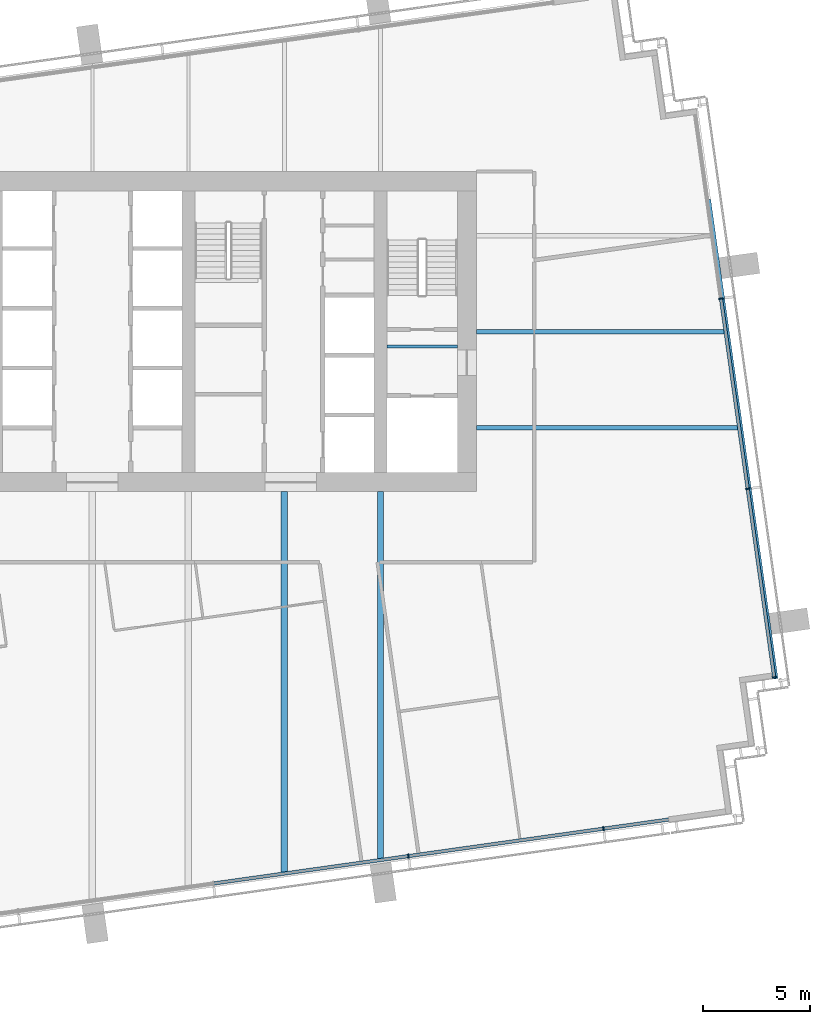
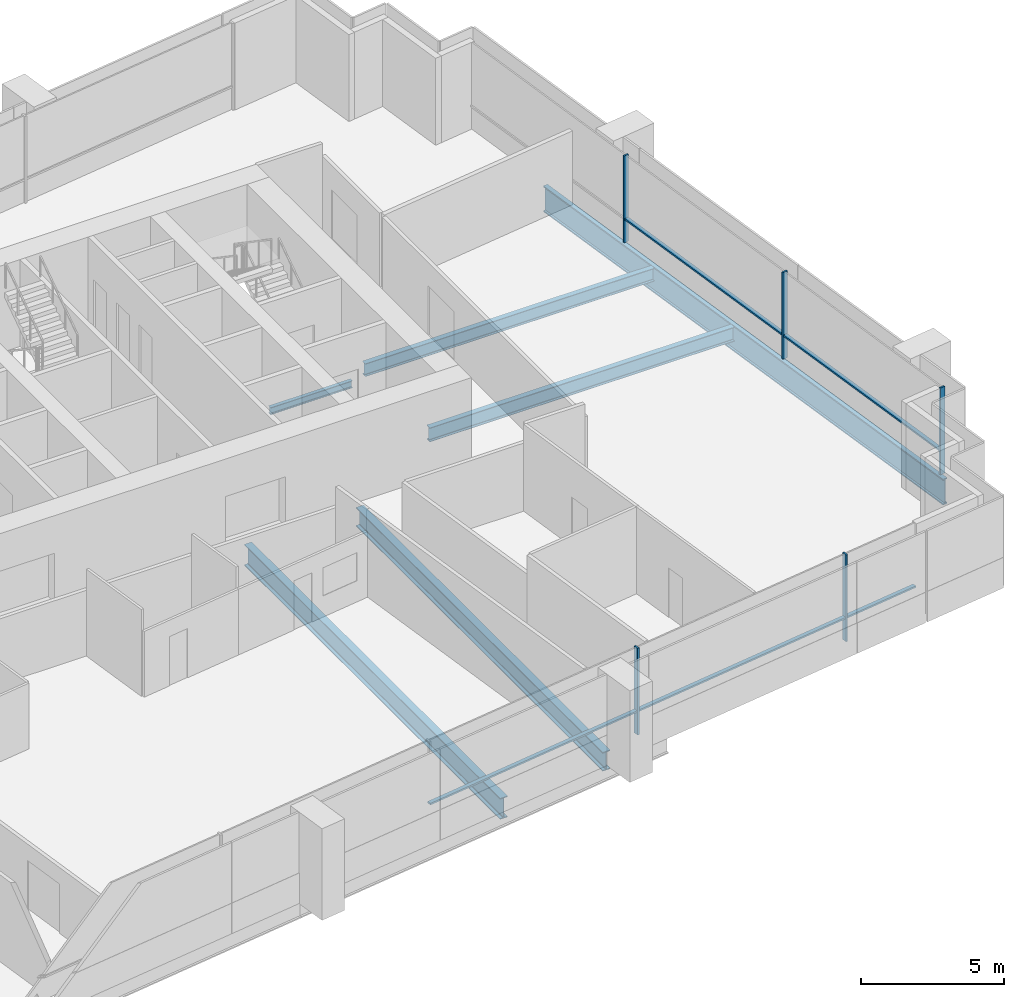
# One storey, part 5 of 17: 10 members, 6 beams, 2 elements without a shape of their own.
"""IFC4 building model written with IfcOpenShell, lengths in metres."""

from ifc_helpers import new_model, si_unit, direction, frame, origin, origin_2d, place, context, subcontext, project, spatial, rectangle, i_section, extrude, material, layer, layer_set, material_profile, profile_set, type_object, element, aggregate, save


model = new_model("IFC4")

# Units and contexts
model_context = context("Model", 3, precision=1e-05, world=origin(), true_north=direction((0.0, 1.0)))
body_context = subcontext(model_context, "Body", "Model", "MODEL_VIEW")
ifc_project = project(units=[si_unit("LENGTHUNIT", "METRE"), si_unit("AREAUNIT", "SQUARE_METRE"), si_unit("VOLUMEUNIT", "CUBIC_METRE"), si_unit("PLANEANGLEUNIT", "RADIAN"), si_unit("MASSUNIT", "GRAM", prefix="KILO")], contexts=[model_context])

# Site, building, storey
site_placement = place(None, origin())
site = spatial("IfcSite", under=ifc_project, at=site_placement, CompositionType="ELEMENT")
building_placement = place(site_placement, origin())
building = spatial("IfcBuilding", under=site, at=building_placement, Name="Rattan Terrace Tower", CompositionType="ELEMENT")
storey_placement = place(building_placement, frame((0.0, 0.0, 221.300048828125)))
storey = spatial("IfcBuildingStorey", under=building, at=storey_placement, Name="L50", CompositionType="ELEMENT", Elevation=221.300048828125)

# Beams
ifc_material_1 = material(Name="Steel S460", Category="steel")
ifc_material_profile_1 = material_profile(ifc_material_1, i_section(OverallWidth=0.179931640625, OverallDepth=1.10009765625, WebThickness=0.01611328125, FlangeThickness=0.050048828125, at=origin_2d()), Name="PG 1100x180-16-50")
ifc_profile_set_1 = profile_set([ifc_material_profile_1], Name="Steel S460")
beam_type_1 = type_object("IfcBeamType", Name="Frame edge girder PG 1100x180-16-50", PredefinedType="SPANDREL", material=ifc_profile_set_1)
beam_1_placement = place(storey_placement, frame((28.883056640625, 6.18505859375, -0.75), z_axis=(0.139138162292, -0.990272978423, 0.0), x_axis=(0.990272978423, 0.139138162292, 0.0)))
element("IfcBeam", 1, at=beam_1_placement, inside=storey, type_object=beam_type_1, Name="gdr-L50-004", PredefinedType="SPANDREL", context=body_context, shape_type="SweptSolid", body=[
    extrude(i_section(OverallWidth=0.179931640625, OverallDepth=1.10009765625, WebThickness=0.01611328125, FlangeThickness=0.050048828125, at=origin_2d()), origin(), (0.0, 0.0, 1.0), 22.66845703125),
])
ifc_material_2 = material(Name="Steel S355", Category="steel")
ifc_material_profile_2 = material_profile(ifc_material_2, i_section(OverallWidth=0.300048828125, OverallDepth=0.800048828125, WebThickness=0.017578125, FlangeThickness=0.032958984375, FilletRadius=0.030029296875, at=origin_2d()), Name="HE 800 B")
ifc_profile_set_2 = profile_set([ifc_material_profile_2], Name="Steel S355")
beam_type_2 = type_object("IfcBeamType", Name="Frame floor beam HE 800 B", PredefinedType="JOIST", material=ifc_profile_set_2)
beam_2_placement = place(storey_placement, frame((13.5, -24.72509765625, -0.60009765625), z_axis=(0.0, 1.0, 0.0), x_axis=(-1.0, 0.0, 0.0)))
element("IfcBeam", 2, at=beam_2_placement, inside=storey, type_object=beam_type_2, Name="bm-L50-008", PredefinedType="JOIST", context=body_context, shape_type="SweptSolid", body=[
    extrude(i_section(OverallWidth=0.300048828125, OverallDepth=0.800048828125, WebThickness=0.017578125, FlangeThickness=0.032958984375, FilletRadius=0.030029296875, at=origin_2d()), origin(), (0.0, 0.0, 1.0), 17.22509765625),
])
ifc_material_3 = material(Name="Steel S355", Category="steel")
ifc_material_profile_3 = material_profile(ifc_material_3, i_section(OverallWidth=0.300048828125, OverallDepth=0.89990234375, WebThickness=0.0185546875, FlangeThickness=0.034912109375, FilletRadius=0.030029296875, at=origin_2d()), Name="HE 900 B")
ifc_profile_set_3 = profile_set([ifc_material_profile_3], Name="Steel S355")
beam_type_3 = type_object("IfcBeamType", Name="Frame floor beam HE 900 B", PredefinedType="JOIST", material=ifc_profile_set_3)
beam_3_placement = place(storey_placement, frame((9.0, -25.35693359375, -0.650146484375), z_axis=(0.0, 1.0, 0.0), x_axis=(-1.0, 0.0, 0.0)))
element("IfcBeam", 3, at=beam_3_placement, inside=storey, type_object=beam_type_3, Name="bm-L50-007", PredefinedType="JOIST", context=body_context, shape_type="SweptSolid", body=[
    extrude(i_section(OverallWidth=0.300048828125, OverallDepth=0.89990234375, WebThickness=0.0185546875, FlangeThickness=0.034912109375, FilletRadius=0.030029296875, at=origin_2d()), origin(), (0.0, 0.0, 1.0), 17.85693359375),
])
ifc_material_4 = material(Name="Steel S355", Category="steel")
ifc_material_profile_4 = material_profile(ifc_material_4, i_section(OverallWidth=0.14990234375, OverallDepth=0.300048828125, WebThickness=0.007080078125, FlangeThickness=0.0107421875, FilletRadius=0.014892578125, at=origin_2d()), Name="IPE 300")
ifc_profile_set_4 = profile_set([ifc_material_profile_4], Name="Steel S355")
beam_type_4 = type_object("IfcBeamType", Name="Frame floor beam IPE 300", PredefinedType="JOIST", material=ifc_profile_set_4)
beam_4_placement = place(storey_placement, frame((13.800048828125, -0.695068359375, -0.35009765625), z_axis=(1.0, 0.0, 0.0), x_axis=(0.0, 1.0, 0.0)))
element("IfcBeam", 4, at=beam_4_placement, inside=storey, type_object=beam_type_4, Name="bm-L50-002", PredefinedType="JOIST", context=body_context, shape_type="SweptSolid", body=[
    extrude(i_section(OverallWidth=0.14990234375, OverallDepth=0.300048828125, WebThickness=0.007080078125, FlangeThickness=0.0107421875, FilletRadius=0.014892578125, at=origin_2d()), origin(), (0.0, 0.0, 1.0), 3.300048828125),
])
ifc_material_5 = material(Name="Steel S355", Category="steel")
ifc_material_profile_5 = material_profile(ifc_material_5, i_section(OverallWidth=0.2099609375, OverallDepth=0.550048828125, WebThickness=0.010986328125, FlangeThickness=0.01708984375, FilletRadius=0.02392578125, at=origin_2d()), Name="IPE 550")
ifc_profile_set_5 = profile_set([ifc_material_profile_5], Name="Steel S355")
beam_type_5 = type_object("IfcBeamType", Name="Frame floor beam IPE 550", PredefinedType="JOIST", material=ifc_profile_set_5)
beam_5_placement = place(storey_placement, frame((18.0, 0.0, -0.47509765625), z_axis=(1.0, 0.0, 0.0), x_axis=(0.0, 1.0, 0.0)))
element("IfcBeam", 5, at=beam_5_placement, inside=storey, type_object=beam_type_5, Name="bm-L50-012", PredefinedType="JOIST", context=body_context, shape_type="SweptSolid", body=[
    extrude(i_section(OverallWidth=0.2099609375, OverallDepth=0.550048828125, WebThickness=0.010986328125, FlangeThickness=0.01708984375, FilletRadius=0.02392578125, at=origin_2d()), origin(), (0.0, 0.0, 1.0), 11.64599609375),
])
ifc_material_6 = material(Name="Steel S355", Category="steel")
ifc_material_profile_6 = material_profile(ifc_material_6, i_section(OverallWidth=0.219970703125, OverallDepth=0.60009765625, WebThickness=0.011962890625, FlangeThickness=0.01904296875, FilletRadius=0.02392578125, at=origin_2d()), Name="IPE 600")
ifc_profile_set_6 = profile_set([ifc_material_profile_6], Name="Steel S355")
beam_type_6 = type_object("IfcBeamType", Name="Frame floor beam IPE 600", PredefinedType="JOIST", material=ifc_profile_set_6)
beam_6_placement = place(storey_placement, frame((18.0, -4.5, -0.5), z_axis=(1.0, 0.0, 0.0), x_axis=(0.0, 1.0, 0.0)))
element("IfcBeam", 6, at=beam_6_placement, inside=storey, type_object=beam_type_6, Name="bm-L50-010", PredefinedType="JOIST", context=body_context, shape_type="SweptSolid", body=[
    extrude(i_section(OverallWidth=0.219970703125, OverallDepth=0.60009765625, WebThickness=0.011962890625, FlangeThickness=0.01904296875, FilletRadius=0.02392578125, at=origin_2d()), origin(), (0.0, 0.0, 1.0), 12.278076171875),
])

# Curtain wall, members
ifc_material_7 = material(Name="Aluminium and laminated glass", Category="aluminium")
ifc_layer = layer(ifc_material_7, 0.199951171875)
ifc_layer_set = layer_set([ifc_layer], Name="High-Zone Unitised Curtain Wall")
curtain_wall_type = type_object("IfcCurtainWallType", Name="High-Zone Unitised Curtain Wall", PredefinedType="NOTDEFINED", material=ifc_layer_set)
curtain_wall_1_placement = place(storey_placement, origin())
curtain_wall_1 = element("IfcCurtainWall", 7, at=curtain_wall_1_placement, inside=storey, type_object=curtain_wall_type, Name="High-zone curtain wall L50-1", PredefinedType="NOTDEFINED")
ifc_material_8 = material(Name="Aluminium", Category="aluminium")
ifc_material_profile_7 = material_profile(ifc_material_8, rectangle(XDim=0.070068359375, YDim=0.199951171875, at=origin_2d()), Name="Aluminium 70x200")
ifc_profile_set_7 = profile_set([ifc_material_profile_7], Name="Aluminium")
member_type_1 = type_object("IfcMemberType", Name="High-Zone CW Mullion 70x200", PredefinedType="MULLION", material=ifc_profile_set_7)
member_1_placement = place(storey_placement, frame((31.946533203125, -16.1943359375, 0.0), z_axis=(0.0, 0.0, 1.0), x_axis=(-0.139186165309, 0.990266232579, 0.0)))
member_1 = element("IfcMember", 8, at=member_1_placement, type_object=member_type_1, Name="Mullion cwl-L50-001.1", PredefinedType="MULLION", context=body_context, shape_type="SweptSolid", body=[
    extrude(rectangle(XDim=0.070068359375, YDim=0.199951171875, at=origin_2d()), origin(), (0.0, 0.0, 1.0), 3.699951171875),
])
member_2_placement = place(storey_placement, frame((30.705078125, -7.361328125, 0.0), z_axis=(0.0, 0.0, 1.0), x_axis=(-0.139186165309, 0.990266232579, 0.0)))
member_2 = element("IfcMember", 9, at=member_2_placement, type_object=member_type_1, Name="Mullion cwl-L50-001.2", PredefinedType="MULLION", context=body_context, shape_type="SweptSolid", body=[
    extrude(rectangle(XDim=0.070068359375, YDim=0.199951171875, at=origin_2d()), origin(), (0.0, 0.0, 1.0), 3.699951171875),
])
member_3_placement = place(storey_placement, frame((29.452392578125, 1.551025390625, 0.0), z_axis=(0.0, 0.0, 1.0), x_axis=(-0.139186165309, 0.990266232579, 0.0)))
member_3 = element("IfcMember", 10, at=member_3_placement, type_object=member_type_1, Name="Mullion cwl-L50-001.3", PredefinedType="MULLION", context=body_context, shape_type="SweptSolid", body=[
    extrude(rectangle(XDim=0.070068359375, YDim=0.199951171875, at=origin_2d()), origin(), (0.0, 0.0, 1.0), 3.699951171875),
])

curtain_wall_2_placement = place(storey_placement, origin())
curtain_wall_2 = element("IfcCurtainWall", 11, at=curtain_wall_2_placement, inside=storey, type_object=curtain_wall_type, Name="High-zone curtain wall L50-4", PredefinedType="NOTDEFINED")
member_4_placement = place(storey_placement, frame((14.808837890625, -24.571533203125, 0.0), z_axis=(0.0, 0.0, 1.0), x_axis=(0.990267457022, 0.139177453499, 0.0)))
member_4 = element("IfcMember", 12, at=member_4_placement, type_object=member_type_1, Name="Mullion cwl-L50-004.4", PredefinedType="MULLION", context=body_context, shape_type="SweptSolid", body=[
    extrude(rectangle(XDim=0.070068359375, YDim=0.199951171875, at=origin_2d()), origin(), (0.0, 0.0, 1.0), 3.699951171875),
])
member_5_placement = place(storey_placement, frame((23.949951171875, -23.28662109375, 0.0), z_axis=(0.0, 0.0, 1.0), x_axis=(0.990267457022, 0.139177453499, 0.0)))
member_5 = element("IfcMember", 13, at=member_5_placement, type_object=member_type_1, Name="Mullion cwl-L50-004.5", PredefinedType="MULLION", context=body_context, shape_type="SweptSolid", body=[
    extrude(rectangle(XDim=0.070068359375, YDim=0.199951171875, at=origin_2d()), origin(), (0.0, 0.0, 1.0), 3.699951171875),
])

# Member
ifc_material_9 = material(Name="Aluminium", Category="aluminium")
ifc_material_profile_8 = material_profile(ifc_material_9, rectangle(XDim=0.159912109375, YDim=0.070068359375, at=origin_2d()), Name="Aluminium 160x70")
ifc_profile_set_8 = profile_set([ifc_material_profile_8], Name="Aluminium")
member_type_2 = type_object("IfcMemberType", Name="High-Zone CW Transom 160x70", PredefinedType="USERDEFINED", material=ifc_profile_set_8)
member_6_placement = place(storey_placement, frame((31.941650390625, -16.159912109375, 1.0), z_axis=(-0.139173253985, 0.990268047235, 0.0), x_axis=(-0.990268047235, -0.139173253985, 0.0)))
member_6 = element("IfcMember", 14, at=member_6_placement, type_object=member_type_2, Name="Transom cwl-L50-001.1", ObjectType="TRANSOM", PredefinedType="USERDEFINED", context=body_context, shape_type="SweptSolid", body=[
    extrude(rectangle(XDim=0.159912109375, YDim=0.070068359375, at=origin_2d()), origin(), (0.0, 0.0, 1.0), 8.85009765625),
])

member_7_placement = place(storey_placement, frame((30.7001953125, -7.32666015625, 1.0), z_axis=(-0.139185713085, 0.990266296141, 0.0), x_axis=(-0.990266296141, -0.139185713085, 0.0)))
member_7 = element("IfcMember", 15, at=member_7_placement, type_object=member_type_2, Name="Transom cwl-L50-001.2", ObjectType="TRANSOM", PredefinedType="USERDEFINED", context=body_context, shape_type="SweptSolid", body=[
    extrude(rectangle(XDim=0.159912109375, YDim=0.070068359375, at=origin_2d()), origin(), (0.0, 0.0, 1.0), 8.929931640625),
])

aggregate(curtain_wall_1, [member_1, member_2, member_3, member_6, member_7])

member_8_placement = place(storey_placement, frame((5.702392578125, -25.851318359375, 1.0), z_axis=(0.990265190222, 0.139193581154, 0.0), x_axis=(-0.139193581154, 0.990265190222, 0.0)))
member_8 = element("IfcMember", 16, at=member_8_placement, type_object=member_type_2, Name="Transom cwl-L50-004.3", ObjectType="TRANSOM", PredefinedType="USERDEFINED", context=body_context, shape_type="SweptSolid", body=[
    extrude(rectangle(XDim=0.159912109375, YDim=0.070068359375, at=origin_2d()), origin(), (0.0, 0.0, 1.0), 9.160888671875),
])

member_9_placement = place(storey_placement, frame((14.843505859375, -24.566650390625, 1.0), z_axis=(0.990265190222, 0.139193581154, 0.0), x_axis=(-0.139193581154, 0.990265190222, 0.0)))
member_9 = element("IfcMember", 17, at=member_9_placement, type_object=member_type_2, Name="Transom cwl-L50-004.4", ObjectType="TRANSOM", PredefinedType="USERDEFINED", context=body_context, shape_type="SweptSolid", body=[
    extrude(rectangle(XDim=0.159912109375, YDim=0.070068359375, at=origin_2d()), origin(), (0.0, 0.0, 1.0), 9.160888671875),
])

member_10_placement = place(storey_placement, frame((23.984619140625, -23.28173828125, 1.0), z_axis=(0.990269723995, 0.139161322712, 0.0), x_axis=(-0.139161322712, 0.990269723995, 0.0)))
member_10 = element("IfcMember", 18, at=member_10_placement, type_object=member_type_2, Name="Transom cwl-L50-004.5", ObjectType="TRANSOM", PredefinedType="USERDEFINED", context=body_context, shape_type="SweptSolid", body=[
    extrude(rectangle(XDim=0.159912109375, YDim=0.070068359375, at=origin_2d()), origin(), (0.0, 0.0, 1.0), 3.040283203125),
])

aggregate(curtain_wall_2, [member_4, member_5, member_8, member_9, member_10])

save(model, "model.ifc")
